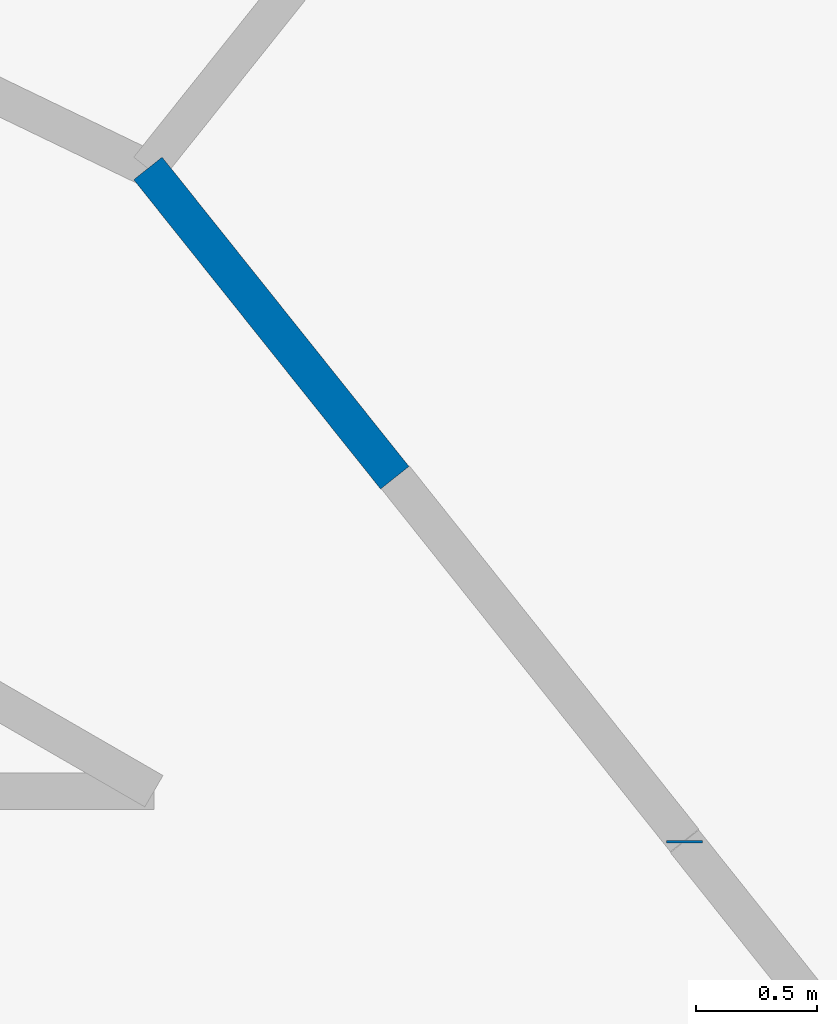
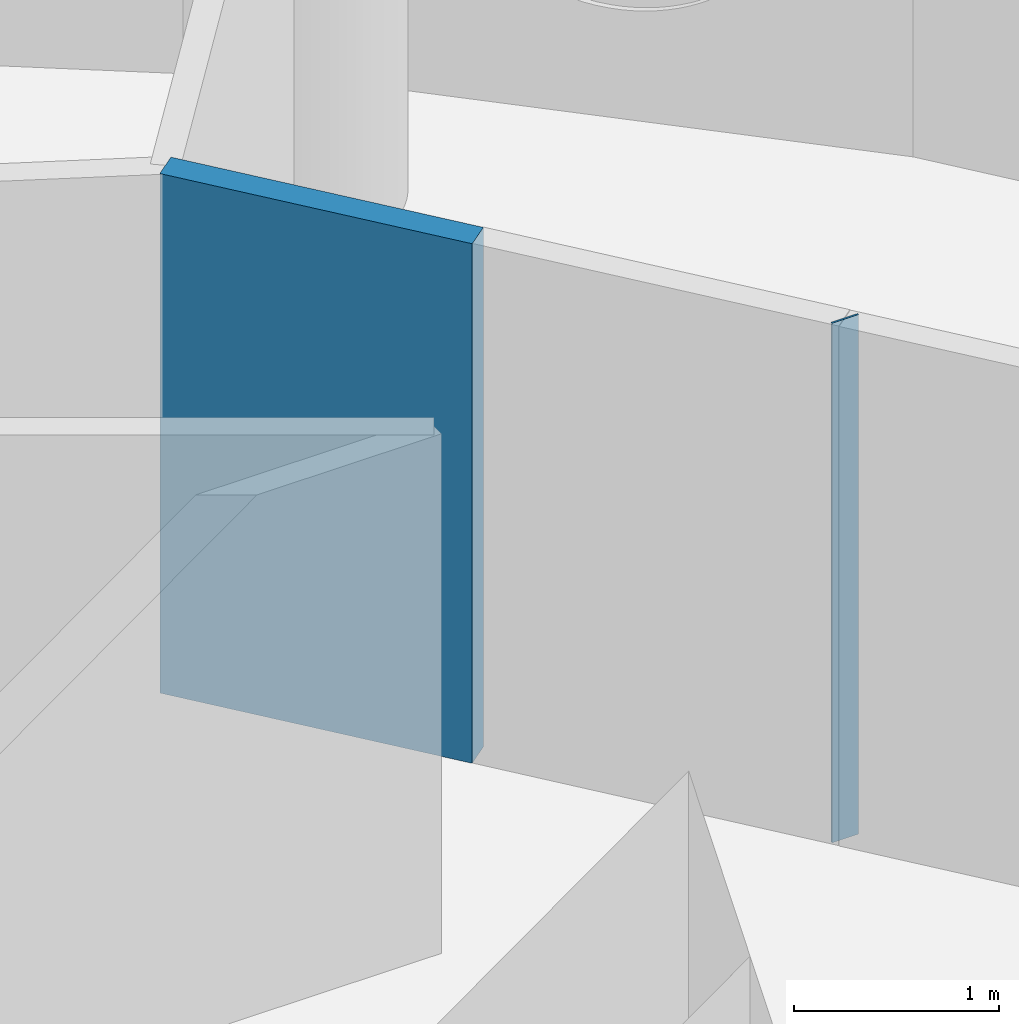
# One storey, part 9 of 13: 2 walls.
"""IFC4 building model written with IfcOpenShell, lengths in metres."""

from ifc_helpers import new_model, si_unit, direction, frame, frame_2d, origin, place, context, subcontext, project, spatial, rectangle, extrude, material, layer, layer_set, type_object, element, save


model = new_model("IFC4")

# Units and contexts
model_context = context("Model", 3, precision=1e-05, world=origin(), true_north=direction((0.0, 1.0)))
body_context = subcontext(model_context, "Body", "Model", "MODEL_VIEW")
ifc_project = project(units=[si_unit("LENGTHUNIT", "METRE"), si_unit("AREAUNIT", "SQUARE_METRE"), si_unit("VOLUMEUNIT", "CUBIC_METRE"), si_unit("PLANEANGLEUNIT", "RADIAN"), si_unit("MASSUNIT", "GRAM", prefix="KILO")], contexts=[model_context])

# Site, building, storey
site_placement = place(None, origin())
site = spatial("IfcSite", under=ifc_project, at=site_placement, CompositionType="ELEMENT")
building_placement = place(site_placement, origin())
building = spatial("IfcBuilding", under=site, at=building_placement, Name="Tracery Tower", CompositionType="ELEMENT")
storey_placement = place(building_placement, frame((0.0, 0.0, 274.199951171875)))
storey = spatial("IfcBuildingStorey", under=building, at=storey_placement, Name="L71", CompositionType="ELEMENT", Elevation=274.199951171875)

# Walls
ifc_material = material(Name="Plasterboard on steel studs", Category="steel")
ifc_layer = layer(ifc_material, 0.14990234375)
ifc_layer_set = layer_set([ifc_layer], Name="Partition 150 corridor wall")
wall_type = type_object("IfcWallType", Name="Partition 150 corridor wall", PredefinedType="PARTITIONING", material=ifc_layer_set)
wall_1_placement = place(storey_placement, frame((11.300048828125, 8.5859375, 0.0), z_axis=(0.0, 0.0, 1.0), x_axis=(0.0, 1.0, 0.0)))
element("IfcWall", 1, at=wall_1_placement, inside=storey, type_object=wall_type, Name="Corridor wall RC5-006", PredefinedType="PARTITIONING", context=body_context, shape_type="SweptSolid", body=[
    extrude(rectangle(XDim=0.01025390625, YDim=0.14990234375, at=frame_2d((0.005126953125, 0.0))), origin(), (0.0, 0.0, 1.0), 3.10009765625),
])
wall_2_placement = place(storey_placement, frame((9.075927734375, 11.381103515625, 0.0), z_axis=(0.0, 0.0, 1.0), x_axis=(0.623805208652, -0.781579849829, 0.0)))
element("IfcWall", 2, at=wall_2_placement, inside=storey, type_object=wall_type, Name="Corridor wall RC5-026", PredefinedType="PARTITIONING", context=body_context, shape_type="SweptSolid", body=[
    extrude(rectangle(XDim=1.64013671875, YDim=0.14990234375, at=frame_2d((0.820068359375, 0.0))), origin(), (0.0, 0.0, 1.0), 3.10009765625),
])

save(model, "model.ifc")
